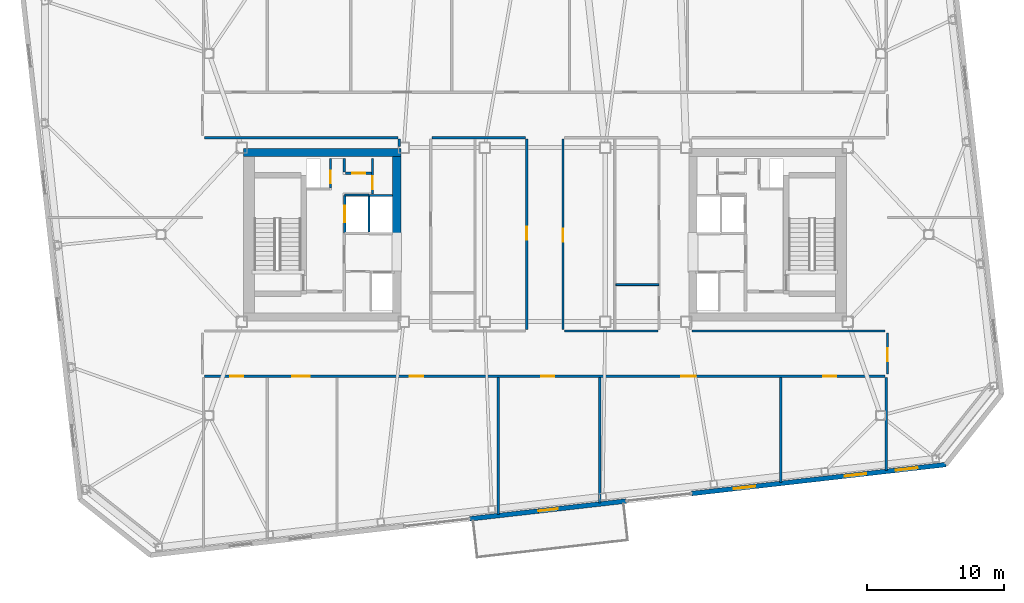
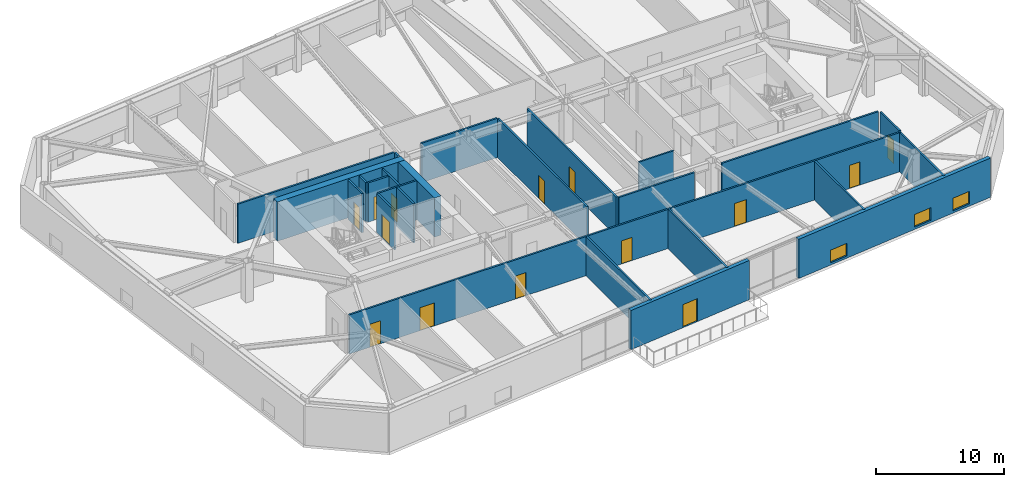
# One storey, part 13 of 20: 26 walls, 14 doors, 3 windows, 17 openings.
"""IFC4 building model written with IfcOpenShell, lengths in metres."""

from ifc_helpers import new_model, si_unit, direction, frame, frame_2d, origin, place, context, subcontext, project, spatial, rectangle, extrude, material, layer, layer_set, type_object, element, fill, save


model = new_model("IFC4")

# Units and contexts
model_context = context("Model", 3, precision=1e-05, world=origin(), true_north=direction((0.0, 1.0)))
body_context = subcontext(model_context, "Body", "Model", "MODEL_VIEW")
ifc_project = project(units=[si_unit("LENGTHUNIT", "METRE"), si_unit("AREAUNIT", "SQUARE_METRE"), si_unit("VOLUMEUNIT", "CUBIC_METRE"), si_unit("PLANEANGLEUNIT", "RADIAN"), si_unit("MASSUNIT", "GRAM", prefix="KILO")], contexts=[model_context])

# Site, building, storey
site_placement = place(None, origin())
site = spatial("IfcSite", under=ifc_project, at=site_placement, CompositionType="ELEMENT")
building_placement = place(site_placement, origin())
building = spatial("IfcBuilding", under=site, at=building_placement, Name="Tavrogorsk Clinical Tower", CompositionType="ELEMENT")
storey_placement = place(building_placement, frame((0.0, 0.0, 234.199951171875)))
storey = spatial("IfcBuildingStorey", under=building, at=storey_placement, Name="L54", CompositionType="ELEMENT", Elevation=234.199951171875)

# Wall
ifc_material_1 = material(Name="Lightweight concrete blockwork B15", Category="masonry")
ifc_layer_1 = layer(ifc_material_1, 0.139892578125)
ifc_layer_set_1 = layer_set([ifc_layer_1], Name="Lightweight concrete blockwork B15")
wall_type_1 = type_object("IfcWallType", Name="PartitionWall_140", PredefinedType="PARTITIONING", material=ifc_layer_set_1)
wall_1_placement = place(storey_placement, frame((5.175048828125, -3.64990234375, 0.0), z_axis=(0.0, 0.0, 1.0), x_axis=(1.0, 0.0, 0.0)))
element("IfcWall", 1, at=wall_1_placement, inside=storey, type_object=wall_type_1, Name="L54 Central Spine Partition 4", PredefinedType="PARTITIONING", context=body_context, shape_type="SweptSolid", body=[
    extrude(rectangle(XDim=3.139892578125, YDim=0.139892578125, at=frame_2d((1.56982421875, 0.0))), origin(), (0.0, 0.0, 1.0), 3.739990234375),
])

# Wall, opening, door
ifc_material_2 = material(Name="Lightweight concrete blockwork B15", Category="masonry")
ifc_layer_2 = layer(ifc_material_2, 0.159912109375)
ifc_layer_set_2 = layer_set([ifc_layer_2], Name="Lightweight concrete blockwork B15")
wall_type_2 = type_object("IfcWallType", Name="PartitionWall_160", PredefinedType="PARTITIONING", material=ifc_layer_set_2)
wall_2_placement = place(storey_placement, frame((-12.580078125, 2.9599609375, 0.0), z_axis=(0.0, 0.0, 1.0), x_axis=(0.0, 1.0, 0.0)))
wall_2 = element("IfcWall", 2, at=wall_2_placement, inside=storey, type_object=wall_type_2, Name="L54 Core West Linen Closet Wall", PredefinedType="PARTITIONING", context=body_context, shape_type="SweptSolid", body=[
    extrude(rectangle(XDim=2.60009765625, YDim=0.159912109375, at=frame_2d((1.300048828125, 0.0))), origin(), (0.0, 0.0, 1.0), 3.739990234375),
])
opening_1_placement = place(wall_2_placement, frame((0.35009765625, 0.0, 0.0)))
opening_1 = element("IfcOpeningElement", 3, at=opening_1_placement, cuts=wall_2, Name="Opening ID-02", PredefinedType="OPENING", context=body_context, shape_type="SweptSolid", body=[
    extrude(rectangle(XDim=0.949951171875, YDim=2.199951171875, at=frame_2d((0.47509765625, 1.10009765625))), frame((0.0, 0.08984375, 0.0), z_axis=(0.0, -1.0, 0.0), x_axis=(1.0, 0.0, 0.0)), (0.0, 0.0, 1.0), 0.179931640625),
])
ifc_material_3 = material(Name="Laminated timber leaf on aluminium frame", Category="wood")
door_type_1 = type_object("IfcDoorType", Name="InteriorDoor_ID02_950", OperationType="NOTDEFINED", PredefinedType="DOOR", material=ifc_material_3)
door_1_placement = place(opening_1_placement, origin())
door_1 = element("IfcDoor", 4, at=door_1_placement, inside=storey, type_object=door_type_1, Name="L54 Core West Linen Closet Door", OperationType="SINGLE_SWING_RIGHT", OverallHeight=2.199951171875, OverallWidth=0.949951171875, PredefinedType="DOOR", context=body_context, shape_type="SweptSolid", body=[
    extrude(rectangle(XDim=0.949951171875, YDim=2.199951171875, at=frame_2d((0.47509765625, 1.10009765625))), frame((0.0, 0.02490234375, 0.0), z_axis=(0.0, -1.0, 0.0), x_axis=(1.0, 0.0, 0.0)), (0.0, 0.0, 1.0), 0.050048828125),
])
fill(opening_1, door_1)

wall_3_placement = place(storey_placement, frame((-14.554931640625, 4.47998046875, 0.0), z_axis=(0.0, 0.0, 1.0), x_axis=(1.0, 0.0, 0.0)))
wall_3 = element("IfcWall", 5, at=wall_3_placement, inside=storey, type_object=wall_type_2, Name="L54 Core West Housekeeping South Wall", PredefinedType="PARTITIONING", context=body_context, shape_type="SweptSolid", body=[
    extrude(rectangle(XDim=1.889892578125, YDim=0.159912109375, at=frame_2d((0.94482421875, 0.0))), origin(), (0.0, 0.0, 1.0), 3.739990234375),
])
opening_2_placement = place(wall_3_placement, frame((0.5, 0.0, 0.0)))
opening_2 = element("IfcOpeningElement", 6, at=opening_2_placement, cuts=wall_3, Name="Opening ID-02", PredefinedType="OPENING", context=body_context, shape_type="SweptSolid", body=[
    extrude(rectangle(XDim=0.949951171875, YDim=2.199951171875, at=frame_2d((0.47509765625, 1.10009765625))), frame((0.0, 0.08984375, 0.0), z_axis=(0.0, -1.0, 0.0), x_axis=(1.0, 0.0, 0.0)), (0.0, 0.0, 1.0), 0.179931640625),
])
door_2_placement = place(opening_2_placement, origin())
door_2 = element("IfcDoor", 7, at=door_2_placement, inside=storey, type_object=door_type_1, Name="L54 Core West Housekeeping Closet Door", OperationType="SINGLE_SWING_LEFT", OverallHeight=2.199951171875, OverallWidth=0.949951171875, PredefinedType="DOOR", context=body_context, shape_type="SweptSolid", body=[
    extrude(rectangle(XDim=0.949951171875, YDim=2.199951171875, at=frame_2d((0.47509765625, 1.10009765625))), frame((0.0, 0.02490234375, 0.0), z_axis=(0.0, -1.0, 0.0), x_axis=(1.0, 0.0, 0.0)), (0.0, 0.0, 1.0), 0.050048828125),
])
fill(opening_2, door_2)

# Walls
wall_4_placement = place(storey_placement, frame((-14.639892578125, 4.56494140625, 0.0), z_axis=(0.0, 0.0, 1.0), x_axis=(0.0, 1.0, 0.0)))
element("IfcWall", 8, at=wall_4_placement, inside=storey, type_object=wall_type_2, Name="L54 Core West Housekeeping East Wall", PredefinedType="PARTITIONING", context=body_context, shape_type="SweptSolid", body=[
    extrude(rectangle(XDim=0.9951171875, YDim=0.159912109375, at=frame_2d((0.49755859375, 0.0))), origin(), (0.0, 0.0, 1.0), 3.739990234375),
])
wall_5_placement = place(storey_placement, frame((-10.6298828125, 6.419921875, 0.0), z_axis=(0.0, 0.0, 1.0), x_axis=(0.0, 1.0, 0.0)))
element("IfcWall", 9, at=wall_5_placement, inside=storey, type_object=wall_type_2, Name="L54 Corridor Partition 04", PredefinedType="PARTITIONING", context=body_context, shape_type="SweptSolid", body=[
    extrude(rectangle(XDim=0.565185546875, YDim=0.159912109375, at=frame_2d((0.28271484375, 0.0))), origin(), (0.0, 0.0, 1.0), 3.739990234375),
])
for number, where, z_axis, x_axis, name in (
    (10, (-10.715087890625, 7.070068359375, 0.0), (0.0, 0.0, 1.0), (-1.0, 0.0, 0.0), "L54 Corridor Partition 05"),
    (11, (10.715087890625, -7.02001953125, 0.0), (0.0, 0.0, 1.0), (1.0, 0.0, 0.0), "L54 Corridor Partition 12"),
):
    element("IfcWall", number, at=place(storey_placement, frame(where, z_axis=z_axis, x_axis=x_axis)), inside=storey, type_object=wall_type_2, Name=name, PredefinedType="PARTITIONING", context=body_context, shape_type="SweptSolid", body=[
        extrude(rectangle(XDim=14.099853515625, YDim=0.159912109375, at=frame_2d((7.0498046875, 0.0))), origin(), (0.0, 0.0, 1.0), 3.739990234375),
    ])

# Wall, opening, door
wall_6_placement = place(storey_placement, frame((24.97998046875, -7.18505859375, 0.0), z_axis=(0.0, 0.0, 1.0), x_axis=(0.0, -1.0, 0.0)))
wall_6 = element("IfcWall", 12, at=wall_6_placement, inside=storey, type_object=wall_type_2, Name="L54 Corridor Partition 13", PredefinedType="PARTITIONING", context=body_context, shape_type="SweptSolid", body=[
    extrude(rectangle(XDim=2.97998046875, YDim=0.159912109375, at=frame_2d((1.489990234375, 0.0))), origin(), (0.0, 0.0, 1.0), 3.739990234375),
])
opening_3_placement = place(wall_6_placement, frame((1.10009765625, 0.0, 0.0)))
opening_3 = element("IfcOpeningElement", 13, at=opening_3_placement, cuts=wall_6, Name="Opening ID-02", PredefinedType="OPENING", context=body_context, shape_type="SweptSolid", body=[
    extrude(rectangle(XDim=0.949951171875, YDim=2.199951171875, at=frame_2d((0.47509765625, 1.10009765625))), frame((0.0, 0.08984375, 0.0), z_axis=(0.0, -1.0, 0.0), x_axis=(1.0, 0.0, 0.0)), (0.0, 0.0, 1.0), 0.179931640625),
])
door_3_placement = place(opening_3_placement, origin())
door_3 = element("IfcDoor", 14, at=door_3_placement, inside=storey, type_object=door_type_1, Name="L54 E Senior Clinician Suite 1 Door", OperationType="SINGLE_SWING_RIGHT", OverallHeight=2.199951171875, OverallWidth=0.949951171875, PredefinedType="DOOR", context=body_context, shape_type="SweptSolid", body=[
    extrude(rectangle(XDim=0.949951171875, YDim=2.199951171875, at=frame_2d((0.47509765625, 1.10009765625))), frame((0.0, 0.02490234375, 0.0), z_axis=(0.0, -1.0, 0.0), x_axis=(1.0, 0.0, 0.0)), (0.0, 0.0, 1.0), 0.050048828125),
])
fill(opening_3, door_3)

# Wall, openings, doors
wall_7_placement = place(storey_placement, frame((24.81494140625, -10.330078125, 0.0), z_axis=(0.0, 0.0, 1.0), x_axis=(-1.0, 0.0, 0.0)))
wall_7 = element("IfcWall", 15, at=wall_7_placement, inside=storey, type_object=wall_type_2, Name="L54 Corridor Partition 14", PredefinedType="PARTITIONING", context=body_context, shape_type="SweptSolid", body=[
    extrude(rectangle(XDim=49.6298828125, YDim=0.159912109375, at=frame_2d((24.81494140625, 0.0))), origin(), (0.0, 0.0, 1.0), 3.739990234375),
])
opening_4_placement = place(wall_7_placement, frame((46.805908203125, 0.0, 0.0)))
opening_4 = element("IfcOpeningElement", 16, at=opening_4_placement, cuts=wall_7, Name="Opening ID-02", PredefinedType="OPENING", context=body_context, shape_type="SweptSolid", body=[
    extrude(rectangle(XDim=0.949951171875, YDim=2.199951171875, at=frame_2d((0.47509765625, 1.10009765625))), frame((0.0, 0.08984375, 0.0), z_axis=(0.0, -1.0, 0.0), x_axis=(1.0, 0.0, 0.0)), (0.0, 0.0, 1.0), 0.179931640625),
])
opening_5_placement = place(wall_7_placement, frame((41.955078125, 0.0, 0.0)))
opening_5 = element("IfcOpeningElement", 17, at=opening_5_placement, cuts=wall_7, Name="Opening ID-01", PredefinedType="OPENING", context=body_context, shape_type="SweptSolid", body=[
    extrude(rectangle(XDim=1.300048828125, YDim=2.199951171875, at=frame_2d((0.64990234375, 1.10009765625))), frame((0.0, 0.08984375, 0.0), z_axis=(0.0, -1.0, 0.0), x_axis=(1.0, 0.0, 0.0)), (0.0, 0.0, 1.0), 0.179931640625),
])
opening_6_placement = place(wall_7_placement, frame((33.705078125, 0.0, 0.0)))
opening_6 = element("IfcOpeningElement", 18, at=opening_6_placement, cuts=wall_7, Name="Opening ID-02", PredefinedType="OPENING", context=body_context, shape_type="SweptSolid", body=[
    extrude(rectangle(XDim=0.949951171875, YDim=2.199951171875, at=frame_2d((0.47509765625, 1.10009765625))), frame((0.0, 0.08984375, 0.0), z_axis=(0.0, -1.0, 0.0), x_axis=(1.0, 0.0, 0.0)), (0.0, 0.0, 1.0), 0.179931640625),
])
opening_7_placement = place(wall_7_placement, frame((24.125, 0.0, 0.0)))
opening_7 = element("IfcOpeningElement", 19, at=opening_7_placement, cuts=wall_7, Name="Opening ID-02", PredefinedType="OPENING", context=body_context, shape_type="SweptSolid", body=[
    extrude(rectangle(XDim=0.949951171875, YDim=2.199951171875, at=frame_2d((0.47509765625, 1.10009765625))), frame((0.0, 0.08984375, 0.0), z_axis=(0.0, -1.0, 0.0), x_axis=(1.0, 0.0, 0.0)), (0.0, 0.0, 1.0), 0.179931640625),
])
opening_8_placement = place(wall_7_placement, frame((13.824951171875, 0.0, 0.0)))
opening_8 = element("IfcOpeningElement", 20, at=opening_8_placement, cuts=wall_7, Name="Opening ID-04", PredefinedType="OPENING", context=body_context, shape_type="SweptSolid", body=[
    extrude(rectangle(XDim=1.050048828125, YDim=2.199951171875, at=frame_2d((0.52490234375, 1.10009765625))), frame((0.0, 0.08984375, 0.0), z_axis=(0.0, -1.0, 0.0), x_axis=(1.0, 0.0, 0.0)), (0.0, 0.0, 1.0), 0.179931640625),
])
opening_9_placement = place(wall_7_placement, frame((3.569091796875, 0.0, 0.0)))
opening_9 = element("IfcOpeningElement", 21, at=opening_9_placement, cuts=wall_7, Name="Opening ID-02", PredefinedType="OPENING", context=body_context, shape_type="SweptSolid", body=[
    extrude(rectangle(XDim=0.949951171875, YDim=2.199951171875, at=frame_2d((0.47509765625, 1.10009765625))), frame((0.0, 0.08984375, 0.0), z_axis=(0.0, -1.0, 0.0), x_axis=(1.0, 0.0, 0.0)), (0.0, 0.0, 1.0), 0.179931640625),
])
ifc_material_4 = material(Name="Antibacterial HPL consultation door on aluminium frame", Category="aluminium")
door_type_2 = type_object("IfcDoorType", Name="ConsultDoor_ID04_1050", OperationType="NOTDEFINED", PredefinedType="DOOR", material=ifc_material_4)
door_4_placement = place(opening_8_placement, origin())
door_4 = element("IfcDoor", 22, at=door_4_placement, inside=storey, type_object=door_type_2, Name="L54 South Cardiology Diagnostics Room 05 Door", OperationType="SINGLE_SWING_RIGHT", OverallHeight=2.199951171875, OverallWidth=1.050048828125, PredefinedType="DOOR", context=body_context, shape_type="SweptSolid", body=[
    extrude(rectangle(XDim=1.050048828125, YDim=2.199951171875, at=frame_2d((0.52490234375, 1.10009765625))), frame((0.0, 0.02490234375, 0.0), z_axis=(0.0, -1.0, 0.0), x_axis=(1.0, 0.0, 0.0)), (0.0, 0.0, 1.0), 0.050048828125),
])
fill(opening_8, door_4)
door_5_placement = place(opening_4_placement, origin())
door_5 = element("IfcDoor", 23, at=door_5_placement, inside=storey, type_object=door_type_1, Name="L54 South Attending Physician Office 01 Door", OperationType="SINGLE_SWING_RIGHT", OverallHeight=2.199951171875, OverallWidth=0.949951171875, PredefinedType="DOOR", context=body_context, shape_type="SweptSolid", body=[
    extrude(rectangle(XDim=0.949951171875, YDim=2.199951171875, at=frame_2d((0.47509765625, 1.10009765625))), frame((0.0, 0.02490234375, 0.0), z_axis=(0.0, -1.0, 0.0), x_axis=(1.0, 0.0, 0.0)), (0.0, 0.0, 1.0), 0.050048828125),
])
fill(opening_4, door_5)
door_6_placement = place(opening_6_placement, origin())
door_6 = element("IfcDoor", 24, at=door_6_placement, inside=storey, type_object=door_type_1, Name="L54 South Clean Medication & Prep Room 03 Door", OperationType="SINGLE_SWING_RIGHT", OverallHeight=2.199951171875, OverallWidth=0.949951171875, PredefinedType="DOOR", context=body_context, shape_type="SweptSolid", body=[
    extrude(rectangle(XDim=0.949951171875, YDim=2.199951171875, at=frame_2d((0.47509765625, 1.10009765625))), frame((0.0, 0.02490234375, 0.0), z_axis=(0.0, -1.0, 0.0), x_axis=(1.0, 0.0, 0.0)), (0.0, 0.0, 1.0), 0.050048828125),
])
fill(opening_6, door_6)
door_7_placement = place(opening_7_placement, origin())
door_7 = element("IfcDoor", 25, at=door_7_placement, inside=storey, type_object=door_type_1, Name="L54 Terrace Recuperation Day Room & Lounge Door", OperationType="SINGLE_SWING_LEFT", OverallHeight=2.199951171875, OverallWidth=0.949951171875, PredefinedType="DOOR", context=body_context, shape_type="SweptSolid", body=[
    extrude(rectangle(XDim=0.949951171875, YDim=2.199951171875, at=frame_2d((0.47509765625, 1.10009765625))), frame((0.0, 0.02490234375, 0.0), z_axis=(0.0, -1.0, 0.0), x_axis=(1.0, 0.0, 0.0)), (0.0, 0.0, 1.0), 0.050048828125),
])
fill(opening_7, door_7)
door_8_placement = place(opening_9_placement, origin())
door_8 = element("IfcDoor", 26, at=door_8_placement, inside=storey, type_object=door_type_1, Name="L54 South Attending Physician Office 06 Door", OperationType="SINGLE_SWING_LEFT", OverallHeight=2.199951171875, OverallWidth=0.949951171875, PredefinedType="DOOR", context=body_context, shape_type="SweptSolid", body=[
    extrude(rectangle(XDim=0.949951171875, YDim=2.199951171875, at=frame_2d((0.47509765625, 1.10009765625))), frame((0.0, 0.02490234375, 0.0), z_axis=(0.0, -1.0, 0.0), x_axis=(1.0, 0.0, 0.0)), (0.0, 0.0, 1.0), 0.050048828125),
])
fill(opening_9, door_8)
ifc_material_5 = material(Name="Antibacterial HPL medical leaf on aluminium frame", Category="aluminium")
door_type_3 = type_object("IfcDoorType", Name="WardBedDoor_ID01_1300", OperationType="NOTDEFINED", PredefinedType="DOOR", material=ifc_material_5)
door_9_placement = place(opening_5_placement, origin())
door_9 = element("IfcDoor", 27, at=door_9_placement, inside=storey, type_object=door_type_3, Name="L54 South Acute Medical Ward 02 Door", OperationType="SINGLE_SWING_LEFT", OverallHeight=2.199951171875, OverallWidth=1.300048828125, PredefinedType="DOOR", context=body_context, shape_type="SweptSolid", body=[
    extrude(rectangle(XDim=1.300048828125, YDim=2.199951171875, at=frame_2d((0.64990234375, 1.10009765625))), frame((0.0, 0.02490234375, 0.0), z_axis=(0.0, -1.0, 0.0), x_axis=(1.0, 0.0, 0.0)), (0.0, 0.0, 1.0), 0.050048828125),
])
fill(opening_5, door_9)

# Wall, opening, door
wall_8_placement = place(storey_placement, frame((1.330078125, 6.985107421875, 0.0), z_axis=(0.0, 0.0, 1.0), x_axis=(0.0, -1.0, 0.0)))
wall_8 = element("IfcWall", 28, at=wall_8_placement, inside=storey, type_object=wall_type_2, Name="L54 Corridor Partition 16", PredefinedType="PARTITIONING", context=body_context, shape_type="SweptSolid", body=[
    extrude(rectangle(XDim=13.920166015625, YDim=0.159912109375, at=frame_2d((6.9599609375, 0.0))), origin(), (0.0, 0.0, 1.0), 3.739990234375),
])
opening_10_placement = place(wall_8_placement, frame((6.570068359375, 0.0, 0.0)))
opening_10 = element("IfcOpeningElement", 29, at=opening_10_placement, cuts=wall_8, Name="Opening ID-02", PredefinedType="OPENING", context=body_context, shape_type="SweptSolid", body=[
    extrude(rectangle(XDim=0.949951171875, YDim=2.199951171875, at=frame_2d((0.47509765625, 1.10009765625))), frame((0.0, 0.08984375, 0.0), z_axis=(0.0, -1.0, 0.0), x_axis=(1.0, 0.0, 0.0)), (0.0, 0.0, 1.0), 0.179931640625),
])
door_10_placement = place(opening_10_placement, origin())
door_10 = element("IfcDoor", 30, at=door_10_placement, inside=storey, type_object=door_type_1, Name="L54 Clean Medication Preparation Room Door", OperationType="SINGLE_SWING_LEFT", OverallHeight=2.199951171875, OverallWidth=0.949951171875, PredefinedType="DOOR", context=body_context, shape_type="SweptSolid", body=[
    extrude(rectangle(XDim=0.949951171875, YDim=2.199951171875, at=frame_2d((0.47509765625, 1.10009765625))), frame((0.0, 0.02490234375, 0.0), z_axis=(0.0, -1.0, 0.0), x_axis=(1.0, 0.0, 0.0)), (0.0, 0.0, 1.0), 0.050048828125),
])
fill(opening_10, door_10)

# Wall
wall_9_placement = place(storey_placement, frame((1.4150390625, -7.02001953125, 0.0), z_axis=(0.0, 0.0, 1.0), x_axis=(1.0, 0.0, 0.0)))
element("IfcWall", 31, at=wall_9_placement, inside=storey, type_object=wall_type_2, Name="L54 Corridor Partition 17", PredefinedType="PARTITIONING", context=body_context, shape_type="SweptSolid", body=[
    extrude(rectangle(XDim=6.820068359375, YDim=0.159912109375, at=frame_2d((3.41015625, 0.0))), origin(), (0.0, 0.0, 1.0), 3.739990234375),
])

# Wall, opening, door
wall_10_placement = place(storey_placement, frame((-1.330078125, -6.93505859375, 0.0), z_axis=(0.0, 0.0, 1.0), x_axis=(0.0, 1.0, 0.0)))
wall_10 = element("IfcWall", 32, at=wall_10_placement, inside=storey, type_object=wall_type_2, Name="L54 Corridor Partition 19", PredefinedType="PARTITIONING", context=body_context, shape_type="SweptSolid", body=[
    extrude(rectangle(XDim=13.920166015625, YDim=0.159912109375, at=frame_2d((6.9599609375, 0.0))), origin(), (0.0, 0.0, 1.0), 3.739990234375),
])
opening_11_placement = place(wall_10_placement, frame((6.570068359375, 0.0, 0.0)))
opening_11 = element("IfcOpeningElement", 33, at=opening_11_placement, cuts=wall_10, Name="Opening ID-02", PredefinedType="OPENING", context=body_context, shape_type="SweptSolid", body=[
    extrude(rectangle(XDim=0.949951171875, YDim=2.199951171875, at=frame_2d((0.47509765625, 1.10009765625))), frame((0.0, 0.08984375, 0.0), z_axis=(0.0, -1.0, 0.0), x_axis=(1.0, 0.0, 0.0)), (0.0, 0.0, 1.0), 0.179931640625),
])
door_11_placement = place(opening_11_placement, origin())
door_11 = element("IfcDoor", 34, at=door_11_placement, inside=storey, type_object=door_type_1, Name="L54 Nurses' Station & Telemetry Hub Door", OperationType="SINGLE_SWING_RIGHT", OverallHeight=2.199951171875, OverallWidth=0.949951171875, PredefinedType="DOOR", context=body_context, shape_type="SweptSolid", body=[
    extrude(rectangle(XDim=0.949951171875, YDim=2.199951171875, at=frame_2d((0.47509765625, 1.10009765625))), frame((0.0, 0.02490234375, 0.0), z_axis=(0.0, -1.0, 0.0), x_axis=(1.0, 0.0, 0.0)), (0.0, 0.0, 1.0), 0.050048828125),
])
fill(opening_11, door_11)

# Walls
wall_11_placement = place(storey_placement, frame((-1.4150390625, 7.070068359375, 0.0), z_axis=(0.0, 0.0, 1.0), x_axis=(-1.0, 0.0, 0.0)))
element("IfcWall", 35, at=wall_11_placement, inside=storey, type_object=wall_type_2, Name="L54 Corridor Partition 20", PredefinedType="PARTITIONING", context=body_context, shape_type="SweptSolid", body=[
    extrude(rectangle(XDim=6.820068359375, YDim=0.159912109375, at=frame_2d((3.41015625, 0.0))), origin(), (0.0, 0.0, 1.0), 3.739990234375),
])
wall_12_placement = place(storey_placement, frame((24.89990234375, -17.199462890625, 0.0), z_axis=(0.0, 0.0, 1.0), x_axis=(0.0, 1.0, 0.0)))
element("IfcWall", 36, at=wall_12_placement, inside=storey, type_object=wall_type_2, Name="L54 SE Wing Closure Partition", PredefinedType="PARTITIONING", context=body_context, shape_type="SweptSolid", body=[
    extrude(rectangle(XDim=6.784423828125, YDim=0.159912109375, at=frame_2d((3.39208984375, 0.0))), origin(), (0.0, 0.0, 1.0), 3.739990234375),
])
wall_13_placement = place(storey_placement, frame((-3.39990234375, -20.423828125, 0.0), z_axis=(0.0, 0.0, 1.0), x_axis=(0.0, 1.0, 0.0)))
element("IfcWall", 37, at=wall_13_placement, inside=storey, type_object=wall_type_2, Name="L54 South Room Partition 3", PredefinedType="PARTITIONING", context=body_context, shape_type="SweptSolid", body=[
    extrude(rectangle(XDim=10.0087890625, YDim=0.159912109375, at=frame_2d((5.00439453125, 0.0))), origin(), (0.0, 0.0, 1.0), 3.739990234375),
])
wall_14_placement = place(storey_placement, frame((4.0, -19.580810546875, 0.0), z_axis=(0.0, 0.0, 1.0), x_axis=(0.0, 1.0, 0.0)))
element("IfcWall", 38, at=wall_14_placement, inside=storey, type_object=wall_type_2, Name="L54 South Room Partition 4", PredefinedType="PARTITIONING", context=body_context, shape_type="SweptSolid", body=[
    extrude(rectangle(XDim=9.165771484375, YDim=0.159912109375, at=frame_2d((4.5830078125, 0.0))), origin(), (0.0, 0.0, 1.0), 3.739990234375),
])
wall_15_placement = place(storey_placement, frame((17.199951171875, -18.07666015625, 0.0), z_axis=(0.0, 0.0, 1.0), x_axis=(0.0, 1.0, 0.0)))
element("IfcWall", 39, at=wall_15_placement, inside=storey, type_object=wall_type_2, Name="L54 South Room Partition 5", PredefinedType="PARTITIONING", context=body_context, shape_type="SweptSolid", body=[
    extrude(rectangle(XDim=7.66162109375, YDim=0.159912109375, at=frame_2d((3.830810546875, 0.0))), origin(), (0.0, 0.0, 1.0), 3.739990234375),
])

# Wall, opening, door
ifc_material_6 = material(Name="Precast concrete B45 with limestone cladding", Category="masonry")
ifc_layer_3 = layer(ifc_material_6, 0.340087890625)
ifc_layer_set_3 = layer_set([ifc_layer_3], Name="Precast concrete B45 with limestone cladding")
wall_type_3 = type_object("IfcWallType", Name="PrecastLimestoneWall_340", PredefinedType="STANDARD", material=ifc_layer_set_3)
wall_16_placement = place(storey_placement, frame((-5.48193359375, -20.7314453125, 0.0), z_axis=(0.0, 0.0, 1.0), x_axis=(0.993571968199, 0.113202226169, 0.0)))
wall_16 = element("IfcWall", 40, at=wall_16_placement, inside=storey, type_object=wall_type_3, Name="L54 S Limestone Facade Wall 2", PredefinedType="STANDARD", context=body_context, shape_type="SweptSolid", body=[
    extrude(rectangle(XDim=11.497314453125, YDim=0.340087890625, at=frame_2d((5.74853515625, 0.0))), origin(), (0.0, 0.0, 1.0), 3.739990234375),
])
opening_12_placement = place(wall_16_placement, frame((5.048583984375, 0.0, 0.0)))
opening_12 = element("IfcOpeningElement", 41, at=opening_12_placement, cuts=wall_16, Name="Opening ED-03", PredefinedType="OPENING", context=body_context, shape_type="SweptSolid", body=[
    extrude(rectangle(XDim=1.39990234375, YDim=2.199951171875, at=frame_2d((0.699951171875, 1.10009765625))), frame((0.0, 0.179931640625, 0.0), z_axis=(0.0, -1.0, 0.0), x_axis=(1.0, 0.0, 0.0)), (0.0, 0.0, 1.0), 0.360107421875),
])
ifc_material_7 = material(Name="Thermally broken aluminium and laminated safety glass", Category="aluminium")
door_type_4 = type_object("IfcDoorType", Name="TerraceGlassDoor_ED03_1400", OperationType="DOUBLE_SWING_LEFT", PredefinedType="DOOR", material=ifc_material_7)
door_12_placement = place(opening_12_placement, origin())
door_12 = element("IfcDoor", 42, at=door_12_placement, inside=storey, type_object=door_type_4, Name="L54 Spiralling Recuperation Terrace Door ED-03", OperationType="DOUBLE_SWING_LEFT", OverallHeight=2.199951171875, OverallWidth=1.39990234375, PredefinedType="DOOR", context=body_context, shape_type="SweptSolid", body=[
    extrude(rectangle(XDim=1.39990234375, YDim=2.199951171875, at=frame_2d((0.699951171875, 1.10009765625))), frame((0.0, 0.02490234375, 0.0), z_axis=(0.0, -1.0, 0.0), x_axis=(1.0, 0.0, 0.0)), (0.0, 0.0, 1.0), 0.050048828125),
])
fill(opening_12, door_12)

# Wall, openings, windows
wall_17_placement = place(storey_placement, frame((10.71044921875, -18.886474609375, 0.0), z_axis=(0.0, 0.0, 1.0), x_axis=(0.993572271362, 0.113199565282, 0.0)))
wall_17 = element("IfcWall", 43, at=wall_17_placement, inside=storey, type_object=wall_type_3, Name="L54 S Limestone Facade Wall 3", PredefinedType="STANDARD", context=body_context, shape_type="SweptSolid", body=[
    extrude(rectangle(XDim=18.6513671875, YDim=0.340087890625, at=frame_2d((9.32568359375, 0.0))), origin(), (0.0, 0.0, 1.0), 3.739990234375),
])
opening_13_placement = place(wall_17_placement, frame((3.074462890625, 0.0, 0.219970703125)))
opening_13 = element("IfcOpeningElement", 44, at=opening_13_placement, cuts=wall_17, Name="Opening WN-09", PredefinedType="OPENING", context=body_context, shape_type="SweptSolid", body=[
    extrude(rectangle(XDim=1.60009765625, YDim=1.199951171875, at=frame_2d((0.800048828125, 0.60009765625))), frame((0.0, 0.179931640625, 0.0), z_axis=(0.0, -1.0, 0.0), x_axis=(1.0, 0.0, 0.0)), (0.0, 0.0, 1.0), 0.360107421875),
])
opening_14_placement = place(wall_17_placement, frame((11.222900390625, 0.0, 0.219970703125)))
opening_14 = element("IfcOpeningElement", 45, at=opening_14_placement, cuts=wall_17, Name="Opening WN-09", PredefinedType="OPENING", context=body_context, shape_type="SweptSolid", body=[
    extrude(rectangle(XDim=1.60009765625, YDim=1.199951171875, at=frame_2d((0.800048828125, 0.60009765625))), frame((0.0, 0.179931640625, 0.0), z_axis=(0.0, -1.0, 0.0), x_axis=(1.0, 0.0, 0.0)), (0.0, 0.0, 1.0), 0.360107421875),
])
opening_15_placement = place(wall_17_placement, frame((14.97119140625, 0.0, 0.219970703125)))
opening_15 = element("IfcOpeningElement", 46, at=opening_15_placement, cuts=wall_17, Name="Opening WN-09", PredefinedType="OPENING", context=body_context, shape_type="SweptSolid", body=[
    extrude(rectangle(XDim=1.60009765625, YDim=1.199951171875, at=frame_2d((0.800048828125, 0.60009765625))), frame((0.0, 0.179931640625, 0.0), z_axis=(0.0, -1.0, 0.0), x_axis=(1.0, 0.0, 0.0)), (0.0, 0.0, 1.0), 0.360107421875),
])
ifc_material_8 = material(Name="Thermally broken aluminium frame and triple IGU", Category="aluminium")
window_type = type_object("IfcWindowType", Name="LowHeadTransWin_1600x1200", PartitioningType="DOUBLE_PANEL_VERTICAL", PredefinedType="WINDOW", material=ifc_material_8)
window_1_placement = place(opening_13_placement, origin())
window_1 = element("IfcWindow", 47, at=window_1_placement, inside=storey, type_object=window_type, Name="L54 S Chicago Window 07", OverallHeight=1.199951171875, OverallWidth=1.60009765625, PartitioningType="SINGLE_PANEL", PredefinedType="WINDOW", context=body_context, shape_type="SweptSolid", body=[
    extrude(rectangle(XDim=1.60009765625, YDim=1.199951171875, at=frame_2d((0.800048828125, 0.60009765625))), frame((0.0, 0.030029296875, 0.0), z_axis=(0.0, -1.0, 0.0), x_axis=(1.0, 0.0, 0.0)), (0.0, 0.0, 1.0), 0.06005859375),
])
fill(opening_13, window_1)
window_2_placement = place(opening_14_placement, origin())
window_2 = element("IfcWindow", 48, at=window_2_placement, inside=storey, type_object=window_type, Name="L54 S Chicago Window 09", OverallHeight=1.199951171875, OverallWidth=1.60009765625, PartitioningType="SINGLE_PANEL", PredefinedType="WINDOW", context=body_context, shape_type="SweptSolid", body=[
    extrude(rectangle(XDim=1.60009765625, YDim=1.199951171875, at=frame_2d((0.800048828125, 0.60009765625))), frame((0.0, 0.030029296875, 0.0), z_axis=(0.0, -1.0, 0.0), x_axis=(1.0, 0.0, 0.0)), (0.0, 0.0, 1.0), 0.06005859375),
])
fill(opening_14, window_2)
window_3_placement = place(opening_15_placement, origin())
window_3 = element("IfcWindow", 49, at=window_3_placement, inside=storey, type_object=window_type, Name="L54 S Chicago Window 10", OverallHeight=1.199951171875, OverallWidth=1.60009765625, PartitioningType="SINGLE_PANEL", PredefinedType="WINDOW", context=body_context, shape_type="SweptSolid", body=[
    extrude(rectangle(XDim=1.60009765625, YDim=1.199951171875, at=frame_2d((0.800048828125, 0.60009765625))), frame((0.0, 0.030029296875, 0.0), z_axis=(0.0, -1.0, 0.0), x_axis=(1.0, 0.0, 0.0)), (0.0, 0.0, 1.0), 0.06005859375),
])
fill(opening_15, window_3)

# Wall, opening, door
ifc_material_9 = material(Name="Lightweight concrete blockwork B25", Category="masonry")
ifc_layer_4 = layer(ifc_material_9, 0.159912109375)
ifc_layer_set_4 = layer_set([ifc_layer_4], Name="Lightweight concrete blockwork B25")
wall_type_4 = type_object("IfcWallType", Name="ShaftWall_160", PredefinedType="PARTITIONING", material=ifc_layer_set_4)
wall_18_placement = place(storey_placement, frame((-14.60009765625, 0.1201171875, 0.0), z_axis=(0.0, 0.0, 1.0), x_axis=(0.0, 1.0, 0.0)))
wall_18 = element("IfcWall", 50, at=wall_18_placement, inside=storey, type_object=wall_type_4, Name="L54 FFL-W Firefighting Lift Front Wall", PredefinedType="PARTITIONING", context=body_context, shape_type="SweptSolid", body=[
    extrude(rectangle(XDim=2.739990234375, YDim=0.159912109375, at=frame_2d((1.3701171875, 0.0))), origin(), (0.0, 0.0, 1.0), 3.739990234375),
])
opening_16_placement = place(wall_18_placement, frame((0.77001953125, 0.0, 0.0)))
opening_16 = element("IfcOpeningElement", 51, at=opening_16_placement, cuts=wall_18, Name="Opening LD", PredefinedType="OPENING", context=body_context, shape_type="SweptSolid", body=[
    extrude(rectangle(XDim=1.199951171875, YDim=2.199951171875, at=frame_2d((0.60009765625, 1.10009765625))), frame((0.0, 0.08984375, 0.0), z_axis=(0.0, -1.0, 0.0), x_axis=(1.0, 0.0, 0.0)), (0.0, 0.0, 1.0), 0.179931640625),
])
ifc_material_10 = material(Name="Brushed stainless steel AISI 304 sliding doors", Category="steel")
door_type_5 = type_object("IfcDoorType", Name="LiftLandingDoor_LD_1200", OperationType="SLIDING_TO_LEFT", PredefinedType="DOOR", material=ifc_material_10)
door_13_placement = place(opening_16_placement, origin())
door_13 = element("IfcDoor", 52, at=door_13_placement, inside=storey, type_object=door_type_5, Name="L54 FFL-W Sliding Lift Landing Door", OperationType="SLIDING_TO_LEFT", OverallHeight=2.199951171875, OverallWidth=1.199951171875, PredefinedType="DOOR", context=body_context, shape_type="SweptSolid", body=[
    extrude(rectangle(XDim=1.199951171875, YDim=2.199951171875, at=frame_2d((0.60009765625, 1.10009765625))), frame((0.0, 0.02490234375, 0.0), z_axis=(0.0, -1.0, 0.0), x_axis=(1.0, 0.0, 0.0)), (0.0, 0.0, 1.0), 0.050048828125),
])
fill(opening_16, door_13)

# Walls
wall_19_placement = place(storey_placement, frame((-14.60009765625, 2.8798828125, 0.0), z_axis=(0.0, 0.0, 1.0), x_axis=(1.0, 0.0, 0.0)))
element("IfcWall", 53, at=wall_19_placement, inside=storey, type_object=wall_type_4, Name="L54 FFL-W Shaft North Wall", PredefinedType="PARTITIONING", context=body_context, shape_type="SweptSolid", body=[
    extrude(rectangle(XDim=1.760009765625, YDim=0.159912109375, at=frame_2d((0.8798828125, 0.0))), origin(), (0.0, 0.0, 1.0), 3.739990234375),
])
wall_20_placement = place(storey_placement, frame((-12.840087890625, 0.179931640625, 0.0), z_axis=(0.0, 0.0, 1.0), x_axis=(0.0, 1.0, 0.0)))
element("IfcWall", 54, at=wall_20_placement, inside=storey, type_object=wall_type_4, Name="L54 FFL-W Shaft Back Wall", PredefinedType="PARTITIONING", context=body_context, shape_type="SweptSolid", body=[
    extrude(rectangle(XDim=2.6201171875, YDim=0.159912109375, at=frame_2d((1.31005859375, 0.0))), origin(), (0.0, 0.0, 1.0), 3.739990234375),
])
wall_21_placement = place(storey_placement, frame((-12.820068359375, 2.860107421875, 0.0), z_axis=(0.0, 0.0, 1.0), x_axis=(1.0, 0.0, 0.0)))
element("IfcWall", 55, at=wall_21_placement, inside=storey, type_object=wall_type_4, Name="L54 LP-H1 High-Zone Lift Rear Wall", PredefinedType="PARTITIONING", context=body_context, shape_type="SweptSolid", body=[
    extrude(rectangle(XDim=1.719970703125, YDim=0.159912109375, at=frame_2d((0.85986328125, 0.0))), origin(), (0.0, 0.0, 1.0), 3.739990234375),
])

# Wall, opening, door
wall_22_placement = place(storey_placement, frame((-15.639892578125, 3.405029296875, 0.0), z_axis=(0.0, 0.0, 1.0), x_axis=(0.0, 1.0, 0.0)))
wall_22 = element("IfcWall", 56, at=wall_22_placement, inside=storey, type_object=wall_type_4, Name="L54 Core West Riser West Wall", PredefinedType="PARTITIONING", context=body_context, shape_type="SweptSolid", body=[
    extrude(rectangle(XDim=2.155029296875, YDim=0.159912109375, at=frame_2d((1.07763671875, 0.0))), origin(), (0.0, 0.0, 1.0), 3.739990234375),
])
opening_17_placement = place(wall_22_placement, frame((0.35009765625, 0.0, 0.0)))
opening_17 = element("IfcOpeningElement", 57, at=opening_17_placement, cuts=wall_22, Name="Opening FD-02", PredefinedType="OPENING", context=body_context, shape_type="SweptSolid", body=[
    extrude(rectangle(XDim=0.89990234375, YDim=2.199951171875, at=frame_2d((0.449951171875, 1.10009765625))), frame((0.0, 0.08984375, 0.0), z_axis=(0.0, -1.0, 0.0), x_axis=(1.0, 0.0, 0.0)), (0.0, 0.0, 1.0), 0.179931640625),
])
ifc_material_11 = material(Name="Galvanised steel fire-rated door assembly", Category="steel")
door_type_6 = type_object("IfcDoorType", Name="FireDoor_FD02_900", OperationType="NOTDEFINED", PredefinedType="DOOR", material=ifc_material_11)
door_14_placement = place(opening_17_placement, origin())
door_14 = element("IfcDoor", 58, at=door_14_placement, inside=storey, type_object=door_type_6, Name="L54 Core West Electrical Riser Access Door", OperationType="SINGLE_SWING_LEFT", OverallHeight=2.199951171875, OverallWidth=0.89990234375, PredefinedType="DOOR", context=body_context, shape_type="SweptSolid", body=[
    extrude(rectangle(XDim=0.89990234375, YDim=2.199951171875, at=frame_2d((0.449951171875, 1.10009765625))), frame((0.0, 0.02490234375, 0.0), z_axis=(0.0, -1.0, 0.0), x_axis=(1.0, 0.0, 0.0)), (0.0, 0.0, 1.0), 0.050048828125),
])
fill(opening_17, door_14)

# Walls
ifc_material_12 = material(Name="Concrete B80", Category="concrete")
ifc_layer_5 = layer(ifc_material_12, 0.60009765625)
ifc_layer_set_5 = layer_set([ifc_layer_5], Name="Concrete B80")
wall_type_5 = type_object("IfcWallType", Name="ShearWall_600", PredefinedType="SHEAR", material=ifc_layer_set_5)
wall_23_placement = place(storey_placement, frame((-22.0, 6.0, 0.0), z_axis=(0.0, 0.0, 1.0), x_axis=(1.0, 0.0, 0.0)))
element("IfcWall", 59, at=wall_23_placement, inside=storey, type_object=wall_type_5, Name="L54 Core West North Shear Wall", PredefinedType="SHEAR", context=body_context, shape_type="SweptSolid", body=[
    extrude(rectangle(XDim=11.5, YDim=0.60009765625, at=frame_2d((5.75, 0.0))), origin(), (0.0, 0.0, 1.0), 3.739990234375),
])
wall_24_placement = place(storey_placement, frame((-10.800048828125, 0.050048828125, 0.0), z_axis=(0.0, 0.0, 1.0), x_axis=(0.0, 1.0, 0.0)))
element("IfcWall", 60, at=wall_24_placement, inside=storey, type_object=wall_type_5, Name="L54 Core West Inner North Pier", PredefinedType="SHEAR", context=body_context, shape_type="SweptSolid", body=[
    extrude(rectangle(XDim=5.64990234375, YDim=0.60009765625, at=frame_2d((2.824951171875, 0.0))), origin(), (0.0, 0.0, 1.0), 3.739990234375),
])

save(model, "model.ifc")
